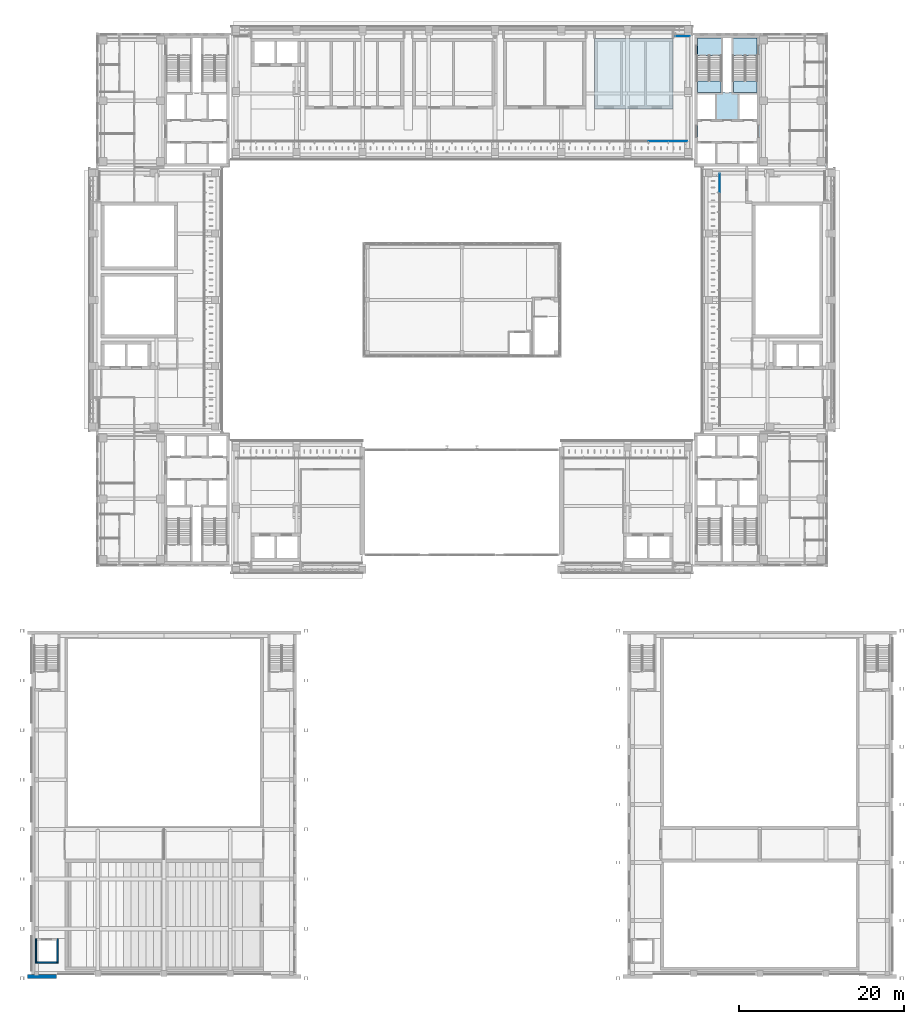
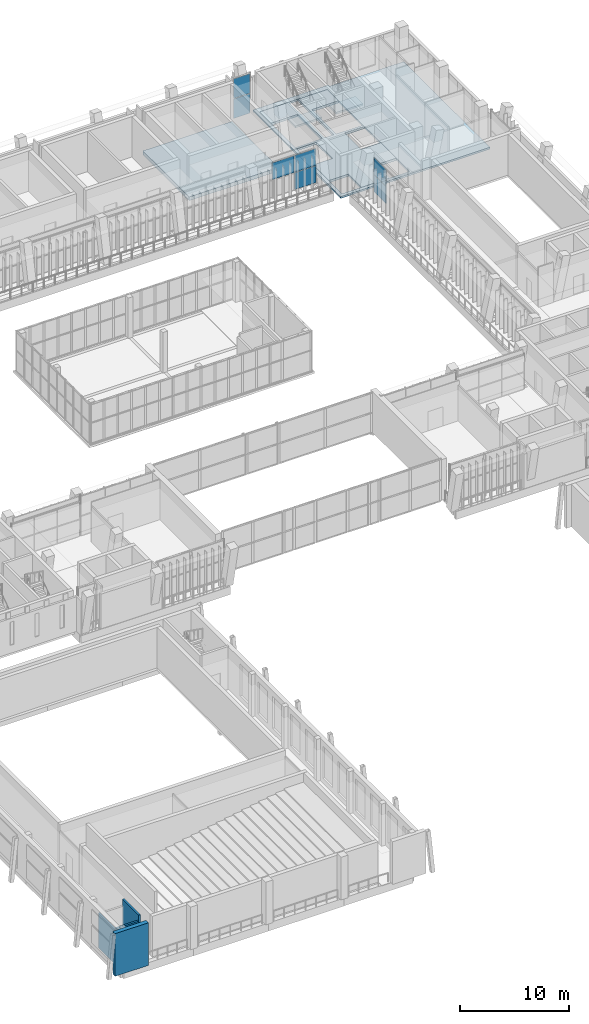
# One storey, part 57 of 92: 7 plates, 5 slabs, 4 walls, 5 elements without a shape of their own.
"""IFC4 building model written with IfcOpenShell, lengths in metres."""

from ifc_helpers import new_model, si_unit, direction, frame, frame_2d, origin, origin_2d, place, context, subcontext, project, spatial, polyline, rectangle, outline, extrude, material, layer, layer_set, type_object, element, aggregate, save


model = new_model("IFC4")

# Units and contexts
model_context = context("Model", 3, precision=1e-05, world=origin(), true_north=direction((0.0, 1.0)))
body_context = subcontext(model_context, "Body", "Model", "MODEL_VIEW")
ifc_project = project(units=[si_unit("LENGTHUNIT", "METRE"), si_unit("AREAUNIT", "SQUARE_METRE"), si_unit("VOLUMEUNIT", "CUBIC_METRE"), si_unit("PLANEANGLEUNIT", "RADIAN"), si_unit("MASSUNIT", "GRAM", prefix="KILO")], contexts=[model_context])

# Site, building, storey
site_placement = place(None, origin())
site = spatial("IfcSite", under=ifc_project, at=site_placement, CompositionType="ELEMENT")
building_placement = place(site_placement, origin())
building = spatial("IfcBuilding", under=site, at=building_placement, Name="Lantern Court Media Centre", CompositionType="ELEMENT")
storey_placement = place(building_placement, frame((0.0, 0.0, 4.800048828125)))
storey = spatial("IfcBuildingStorey", under=building, at=storey_placement, Name="L01", CompositionType="ELEMENT", Elevation=4.800048828125)

# Slab
ifc_material_1 = material(Name="Concrete C40", Category="concrete")
ifc_layer_1 = layer(ifc_material_1, 0.25)
ifc_layer_set_1 = layer_set([ifc_layer_1], Name="Concrete C40")
slab_type_1 = type_object("IfcSlabType", Name="Core floor slab 250", PredefinedType="FLOOR", material=ifc_layer_set_1)
slab_1_placement = place(storey_placement, frame((0.0, 0.0, -0.25)))
element("IfcSlab", 1, at=slab_1_placement, inside=storey, type_object=slab_type_1, Name="L01 NE core floor", PredefinedType="FLOOR", context=body_context, shape_type="SweptSolid", body=[
    extrude(outline(polyline([(87.64990234375, 101.800048828125), (87.64990234375, 98.89990234375), (85.550048828125, 98.89990234375), (85.550048828125, 96.449951171875), (82.550048828125, 96.449951171875), (82.550048828125, 98.89990234375), (80.449951171875, 98.89990234375), (80.449951171875, 101.800048828125), (82.550048828125, 101.800048828125), (82.550048828125, 104.800048828125), (80.449951171875, 104.800048828125), (80.449951171875, 105.05029296875), (83.299560546875, 105.05029296875), (83.299560546875, 109.549560546875), (80.449951171875, 109.549560546875), (80.449951171875, 111.64990234375), (83.550048828125, 111.64990234375), (83.550048828125, 105.050048828125), (84.550048828125, 105.050048828125), (84.550048828125, 111.64990234375), (87.64990234375, 111.64990234375), (87.64990234375, 109.549560546875), (84.80029296875, 109.549560546875), (84.80029296875, 105.05029296875), (87.64990234375, 105.05029296875), (87.64990234375, 104.800048828125), (85.550048828125, 104.800048828125), (85.550048828125, 101.800048828125), (87.64990234375, 101.800048828125)])), origin(), (0.0, 0.0, 1.0), 0.25),
])

# Curtain wall, plates
ifc_material_2 = material(Name="Curtain wall bay 2400")
curtain_wall_type_1 = type_object("IfcCurtainWallType", Name="Curtain wall bay 2400", PredefinedType="NOTDEFINED", material=ifc_material_2)
curtain_wall_1_placement = place(storey_placement, origin())
curtain_wall_1 = element("IfcCurtainWall", 2, at=curtain_wall_1_placement, inside=storey, type_object=curtain_wall_type_1, Name="Curtain wall N inner L01", PredefinedType="NOTDEFINED")
ifc_material_3 = material(Name="Low-iron double glazed unit glass", Category="glass")
ifc_layer_2 = layer(ifc_material_3, 0.02392578125)
ifc_layer_set_2 = layer_set([ifc_layer_2], Name="Low-iron double glazed unit glass")
plate_type_1 = type_object("IfcPlateType", Name="Curtain wall glazing unit 24", PredefinedType="CURTAIN_PANEL", material=ifc_layer_set_2)
plate_1_placement = place(storey_placement, frame((75.739013671875, 99.14990234375, 2.0), z_axis=(0.0, 0.0, 1.0), x_axis=(1.0, 0.0, 0.0)))
plate_1 = element("IfcPlate", 3, at=plate_1_placement, type_object=plate_type_1, Name="CW2 panel 22.2", PredefinedType="CURTAIN_PANEL", context=body_context, shape_type="SweptSolid", body=[
    extrude(rectangle(XDim=2.323974609375, YDim=0.02392578125, at=origin_2d()), origin(), (0.0, 0.0, 1.0), 1.89990234375),
])
plate_2_placement = place(storey_placement, frame((78.1005859375, 99.14990234375, 0.050048828125), z_axis=(0.0, 0.0, 1.0), x_axis=(1.0, 0.0, 0.0)))
plate_2 = element("IfcPlate", 4, at=plate_2_placement, type_object=plate_type_1, Name="CW2 panel 23.1", PredefinedType="CURTAIN_PANEL", context=body_context, shape_type="SweptSolid", body=[
    extrude(rectangle(XDim=2.298828125, YDim=0.02392578125, at=origin_2d()), origin(), (0.0, 0.0, 1.0), 1.89990234375),
])
plate_3_placement = place(storey_placement, frame((78.1005859375, 99.14990234375, 2.0), z_axis=(0.0, 0.0, 1.0), x_axis=(1.0, 0.0, 0.0)))
plate_3 = element("IfcPlate", 5, at=plate_3_placement, type_object=plate_type_1, Name="CW2 panel 23.2", PredefinedType="CURTAIN_PANEL", context=body_context, shape_type="SweptSolid", body=[
    extrude(rectangle(XDim=2.298828125, YDim=0.02392578125, at=origin_2d()), origin(), (0.0, 0.0, 1.0), 1.89990234375),
])
aggregate(curtain_wall_1, [plate_1, plate_2, plate_3])

curtain_wall_2_placement = place(storey_placement, origin())
curtain_wall_2 = element("IfcCurtainWall", 6, at=curtain_wall_2_placement, inside=storey, type_object=curtain_wall_type_1, Name="Curtain wall E inner L01", PredefinedType="NOTDEFINED")
plate_4_placement = place(storey_placement, frame((83.14990234375, 94.110595703125, 0.050048828125), z_axis=(0.0, 0.0, 1.0), x_axis=(0.0, 1.0, 0.0)))
plate_4 = element("IfcPlate", 7, at=plate_4_placement, type_object=plate_type_1, Name="CW2 panel 13.1", PredefinedType="CURTAIN_PANEL", context=body_context, shape_type="SweptSolid", body=[
    extrude(rectangle(XDim=2.27880859375, YDim=0.02392578125, at=origin_2d()), origin(), (0.0, 0.0, 1.0), 1.89990234375),
])
plate_5_placement = place(storey_placement, frame((83.14990234375, 94.110595703125, 2.0), z_axis=(0.0, 0.0, 1.0), x_axis=(0.0, 1.0, 0.0)))
plate_5 = element("IfcPlate", 8, at=plate_5_placement, type_object=plate_type_1, Name="CW2 panel 13.2", PredefinedType="CURTAIN_PANEL", context=body_context, shape_type="SweptSolid", body=[
    extrude(rectangle(XDim=2.27880859375, YDim=0.02392578125, at=origin_2d()), origin(), (0.0, 0.0, 1.0), 1.89990234375),
])
aggregate(curtain_wall_2, [plate_4, plate_5])

ifc_material_4 = material(Name="Curtain wall bay 3000")
curtain_wall_type_2 = type_object("IfcCurtainWallType", Name="Curtain wall bay 3000", PredefinedType="NOTDEFINED", material=ifc_material_4)
curtain_wall_3_placement = place(storey_placement, origin())
curtain_wall_3 = element("IfcCurtainWall", 9, at=curtain_wall_3_placement, inside=storey, type_object=curtain_wall_type_2, Name="Curtain wall N outer L01", PredefinedType="NOTDEFINED")
ifc_layer_3 = layer(ifc_material_3, 0.028076171875)
ifc_layer_set_3 = layer_set([ifc_layer_3], Name="Low-iron double glazed unit glass")
plate_type_2 = type_object("IfcPlateType", Name="Curtain wall glazing unit 28", PredefinedType="CURTAIN_PANEL", material=ifc_layer_set_3)
plate_6_placement = place(storey_placement, frame((78.6650390625, 111.85009765625, 0.06005859375), z_axis=(0.0, 0.0, 1.0), x_axis=(1.0, 0.0, 0.0)))
plate_6 = element("IfcPlate", 10, at=plate_6_placement, type_object=plate_type_2, Name="CW1 panel 1.1", PredefinedType="CURTAIN_PANEL", context=body_context, shape_type="SweptSolid", body=[
    extrude(rectangle(XDim=1.7099609375, YDim=0.028076171875, at=origin_2d()), origin(), (0.0, 0.0, 1.0), 2.199951171875),
])
plate_7_placement = place(storey_placement, frame((78.6650390625, 111.85009765625, 2.31982421875), z_axis=(0.0, 0.0, 1.0), x_axis=(1.0, 0.0, 0.0)))
plate_7 = element("IfcPlate", 11, at=plate_7_placement, type_object=plate_type_2, Name="CW1 panel 1.2", PredefinedType="CURTAIN_PANEL", context=body_context, shape_type="SweptSolid", body=[
    extrude(rectangle(XDim=1.7099609375, YDim=0.028076171875, at=origin_2d()), origin(), (0.0, 0.0, 1.0), 2.199951171875),
])
aggregate(curtain_wall_3, [plate_6, plate_7])

# Slabs
ifc_material_5 = material(Name="Concrete C35", Category="concrete")
ifc_layer_4 = layer(ifc_material_5, 0.199951171875)
ifc_layer_set_4 = layer_set([ifc_layer_4], Name="Concrete C35")
slab_type_2 = type_object("IfcSlabType", Name="RC FLOOR SLAB 200", PredefinedType="FLOOR", material=ifc_layer_set_4)
slab_2_placement = place(storey_placement, frame((0.0, 0.0, -0.199951171875)))
element("IfcSlab", 12, at=slab_2_placement, inside=storey, type_object=slab_type_2, Name="SL-NE-L01", PredefinedType="FLOOR", context=body_context, shape_type="SweptSolid", body=[
    extrude(outline(polyline([(80.10009765625, 112.0), (80.10009765625, 112.219970703125), (88.10009765625, 112.219970703125), (88.10009765625, 112.0), (96.0, 112.0), (96.0, 96.10009765625), (80.10009765625, 96.10009765625), (80.10009765625, 112.0)]), holes=[polyline([(80.449951171875, 111.64990234375), (80.449951171875, 96.449951171875), (87.64990234375, 96.449951171875), (87.64990234375, 111.64990234375), (80.449951171875, 111.64990234375)])]), origin(), (0.0, 0.0, 1.0), 0.199951171875),
])
ifc_layer_5 = layer(ifc_material_5, 0.419921875)
ifc_layer_set_5 = layer_set([ifc_layer_5], Name="Concrete C35")
slab_type_3 = type_object("IfcSlabType", Name="RC FLOOR SLAB 420", PredefinedType="FLOOR", material=ifc_layer_set_5)
slab_3_placement = place(storey_placement, frame((0.0, 0.0, -0.420166015625)))
element("IfcSlab", 13, at=slab_3_placement, inside=storey, type_object=slab_type_3, Name="SL-N-L01-D3", PredefinedType="FLOOR", context=body_context, shape_type="SweptSolid", body=[
    extrude(outline(polyline([(77.5, 103.050048828125), (77.5, 111.60009765625), (68.0, 111.60009765625), (68.0, 103.050048828125), (77.5, 103.050048828125)])), origin(), (0.0, 0.0, 1.0), 0.420166015625),
])

# Stair, slab
stair_type = type_object("IfcStairType", Name="Exit stair 1350", PredefinedType="HALF_TURN_STAIR", material=ifc_material_1)
stair_1_placement = place(storey_placement, origin())
stair_1 = element("IfcStair", 14, at=stair_1_placement, inside=storey, type_object=stair_type, Name="L01 NE exit stair A", PredefinedType="HALF_TURN_STAIR")
ifc_layer_6 = layer(ifc_material_1, 0.199951171875)
ifc_layer_set_6 = layer_set([ifc_layer_6], Name="Concrete C40")
slab_type_4 = type_object("IfcSlabType", Name="Stair landing RC 200", PredefinedType="LANDING", material=ifc_layer_set_6)
slab_4_placement = place(storey_placement, frame((0.0, 0.0, 2.199951171875)))
slab_4 = element("IfcSlab", 15, at=slab_4_placement, type_object=slab_type_4, Name="ST-NEA landing 1", PredefinedType="LANDING", context=body_context, shape_type="SweptSolid", body=[
    extrude(outline(polyline([(84.800048828125, 106.429931640625), (84.800048828125, 105.050048828125), (87.64990234375, 105.050048828125), (87.64990234375, 106.429931640625), (84.800048828125, 106.429931640625)])), origin(), (0.0, 0.0, 1.0), 0.199951171875),
])
aggregate(stair_1, [slab_4])

stair_2_placement = place(storey_placement, origin())
stair_2 = element("IfcStair", 16, at=stair_2_placement, inside=storey, type_object=stair_type, Name="L01 NE exit stair B", PredefinedType="HALF_TURN_STAIR")
slab_5_placement = place(storey_placement, frame((0.0, 0.0, 2.199951171875)))
slab_5 = element("IfcSlab", 17, at=slab_5_placement, type_object=slab_type_4, Name="ST-NEB landing 1", PredefinedType="LANDING", context=body_context, shape_type="SweptSolid", body=[
    extrude(outline(polyline([(80.449951171875, 106.429931640625), (80.449951171875, 105.050048828125), (83.300048828125, 105.050048828125), (83.300048828125, 106.429931640625), (80.449951171875, 106.429931640625)])), origin(), (0.0, 0.0, 1.0), 0.199951171875),
])
aggregate(stair_2, [slab_5])

# Walls
ifc_material_6 = material(Name="Limestone masonry, insulated", Category="masonry")
ifc_layer_7 = layer(ifc_material_6, 0.449951171875)
ifc_layer_set_7 = layer_set([ifc_layer_7], Name="Limestone masonry, insulated")
wall_type_1 = type_object("IfcWallType", Name="Hall wall, stone-faced masonry 450", PredefinedType="SOLIDWALL", material=ifc_layer_set_7)
wall_1_placement = place(storey_placement, frame((-0.527099609375, -1.77490234375, 0.0), z_axis=(0.0, 0.0, 1.0), x_axis=(1.0, 0.0, 0.0)))
element("IfcWall", 18, at=wall_1_placement, inside=storey, type_object=wall_type_1, Name="Cinema Hall south gable L01", PredefinedType="SOLIDWALL", context=body_context, shape_type="SweptSolid", body=[
    extrude(rectangle(XDim=3.527099609375, YDim=0.449951171875, at=frame_2d((1.763671875, 0.0))), origin(), (0.0, 0.0, 1.0), 4.800048828125),
])
ifc_layer_8 = layer(ifc_material_1, 0.14990234375)
ifc_layer_set_8 = layer_set([ifc_layer_8], Name="Concrete C40")
wall_type_2 = type_object("IfcWallType", Name="RC lift shaft wall 150", PredefinedType="SOLIDWALL", material=ifc_layer_set_8)
wall_2_placement = place(storey_placement, frame((0.52490234375, -0.199951171875, 0.0), z_axis=(0.0, 0.0, 1.0), x_axis=(0.0, 1.0, 0.0)))
element("IfcWall", 19, at=wall_2_placement, inside=storey, type_object=wall_type_2, Name="L01 V1-LIFT shaft wall W", PredefinedType="SOLIDWALL", context=body_context, shape_type="SweptSolid", body=[
    extrude(rectangle(XDim=3.0, YDim=0.14990234375, at=frame_2d((1.5, 0.0))), origin(), (0.0, 0.0, 1.0), 3.8798828125),
])
ifc_layer_9 = layer(ifc_material_1, 0.199951171875)
ifc_layer_set_9 = layer_set([ifc_layer_9], Name="Concrete C40")
wall_type_3 = type_object("IfcWallType", Name="RC lift shaft wall 200", PredefinedType="SOLIDWALL", material=ifc_layer_set_9)
wall_3_placement = place(storey_placement, frame((3.10009765625, -0.199951171875, 0.0), z_axis=(0.0, 0.0, 1.0), x_axis=(0.0, 1.0, 0.0)))
element("IfcWall", 20, at=wall_3_placement, inside=storey, type_object=wall_type_3, Name="L01 V1-LIFT shaft wall E", PredefinedType="SOLIDWALL", context=body_context, shape_type="SweptSolid", body=[
    extrude(rectangle(XDim=3.0, YDim=0.199951171875, at=frame_2d((1.5, 0.0))), origin(), (0.0, 0.0, 1.0), 4.550048828125),
])
wall_4_placement = place(storey_placement, frame((0.60009765625, -0.10009765625, 0.0), z_axis=(0.0, 0.0, 1.0), x_axis=(1.0, 0.0, 0.0)))
element("IfcWall", 21, at=wall_4_placement, inside=storey, type_object=wall_type_3, Name="L01 V1-LIFT shaft wall S", PredefinedType="SOLIDWALL", context=body_context, shape_type="SweptSolid", body=[
    extrude(rectangle(XDim=2.39990234375, YDim=0.199951171875, at=frame_2d((1.199951171875, 0.0))), origin(), (0.0, 0.0, 1.0), 3.8798828125),
])

save(model, "model.ifc")
